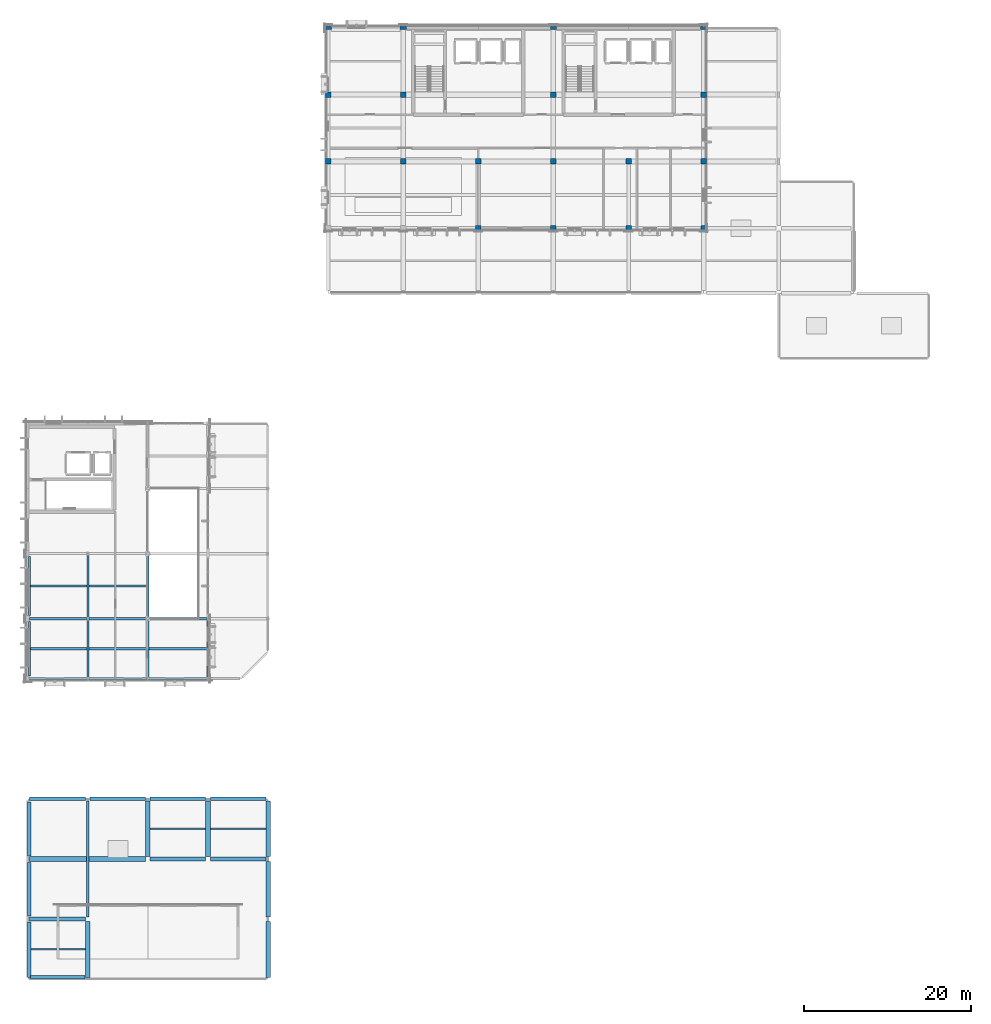
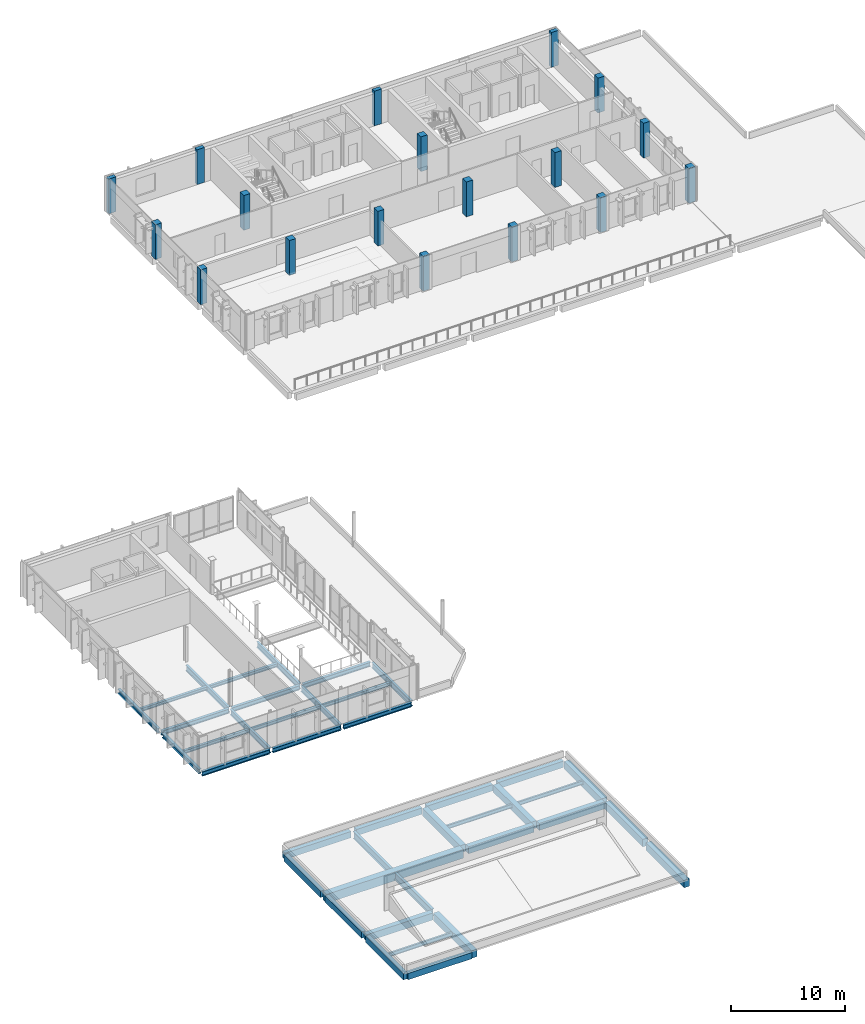
# One storey, part 3 of 23: 40 beams, 18 columns.
"""IFC4 building model written with IfcOpenShell, lengths in metres."""

from ifc_helpers import new_model, si_unit, direction, frame, origin, origin_2d, place, context, subcontext, project, spatial, rectangle, i_section, extrude, material, material_profile, profile_set, type_object, element, save


model = new_model("IFC4")

# Units and contexts
model_context = context("Model", 3, precision=1e-05, world=origin(), true_north=direction((0.0, 1.0)))
body_context = subcontext(model_context, "Body", "Model", "MODEL_VIEW")
ifc_project = project(units=[si_unit("LENGTHUNIT", "METRE"), si_unit("AREAUNIT", "SQUARE_METRE"), si_unit("VOLUMEUNIT", "CUBIC_METRE"), si_unit("PLANEANGLEUNIT", "RADIAN"), si_unit("MASSUNIT", "GRAM", prefix="KILO")], contexts=[model_context])

# Site, building, storey
site_placement = place(None, origin())
site = spatial("IfcSite", under=ifc_project, at=site_placement, CompositionType="ELEMENT")
building_placement = place(site_placement, origin())
building = spatial("IfcBuilding", under=site, at=building_placement, Name="Vervanel Yard Central Library", CompositionType="ELEMENT")
storey_placement = place(building_placement, frame((0.0, 0.0, 16.52001953125)))
storey = spatial("IfcBuildingStorey", under=building, at=storey_placement, Name="L04", CompositionType="ELEMENT", Elevation=16.52001953125)

# Columns
ifc_material_1 = material(Name="Concrete C40/50", Category="concrete")
ifc_material_profile_1 = material_profile(ifc_material_1, rectangle(XDim=0.64990234375, YDim=0.64990234375, at=origin_2d()), Name="RC 650x650", Category="concrete")
ifc_profile_set_1 = profile_set([ifc_material_profile_1], Name="Concrete C40/50")
column_type_1 = type_object("IfcColumnType", Name="Concrete Column 650x650", PredefinedType="COLUMN", material=ifc_profile_set_1)
for number, where, z_axis, x_axis, name in (
    (1, (36.0, 98.0, 0.0), (0.0, 0.0, 1.0), (1.0, 0.0, 0.0), "L04 Concrete Column 650x650 (36.0, 98.0)"),
    (2, (36.0, 106.0, 0.0), (0.0, 0.0, 1.0), (1.0, 0.0, 0.0), "L04 Concrete Column 650x650 (36.0, 106.0)"),
    (3, (45.0, 98.0, 0.0), (0.0, 0.0, 1.0), (1.0, 0.0, 0.0), "L04 Concrete Column 650x650 (45.0, 98.0)"),
    (4, (45.0, 106.0, 0.0), (0.0, 0.0, 1.0), (1.0, 0.0, 0.0), "L04 Concrete Column 650x650 (45.0, 106.0)"),
    (5, (54.0, 90.0, 0.0), (0.0, 0.0, 1.0), (1.0, 0.0, 0.0), "L04 Concrete Column 650x650 (54.0, 90.0)"),
    (6, (54.0, 98.0, 0.0), (0.0, 0.0, 1.0), (1.0, 0.0, 0.0), "L04 Concrete Column 650x650 (54.0, 98.0)"),
    (7, (63.0, 90.0, 0.0), (0.0, 0.0, 1.0), (1.0, 0.0, 0.0), "L04 Concrete Column 650x650 (63.0, 90.0)"),
    (8, (63.0, 98.0, 0.0), (0.0, 0.0, 1.0), (1.0, 0.0, 0.0), "L04 Concrete Column 650x650 (63.0, 98.0)"),
    (9, (63.0, 106.0, 0.0), (0.0, 0.0, 1.0), (1.0, 0.0, 0.0), "L04 Concrete Column 650x650 (63.0, 106.0)"),
    (10, (72.0, 90.0, 0.0), (0.0, 0.0, 1.0), (1.0, 0.0, 0.0), "L04 Concrete Column 650x650 (72.0, 90.0)"),
    (11, (72.0, 98.0, 0.0), (0.0, 0.0, 1.0), (1.0, 0.0, 0.0), "L04 Concrete Column 650x650 (72.0, 98.0)"),
    (12, (81.0, 90.0, 0.0), (0.0, 0.0, 1.0), (1.0, 0.0, 0.0), "L04 Concrete Column 650x650 (81.0, 90.0)"),
    (13, (81.0, 98.0, 0.0), (0.0, 0.0, 1.0), (1.0, 0.0, 0.0), "L04 Concrete Column 650x650 (81.0, 98.0)"),
    (14, (81.0, 106.0, 0.0), (0.0, 0.0, 1.0), (1.0, 0.0, 0.0), "L04 Concrete Column 650x650 (81.0, 106.0)"),
):
    element("IfcColumn", number, at=place(storey_placement, frame(where, z_axis=z_axis, x_axis=x_axis)), inside=storey, type_object=column_type_1, Name=name, PredefinedType="COLUMN", context=body_context, shape_type="SweptSolid", body=[
        extrude(rectangle(XDim=0.64990234375, YDim=0.64990234375, at=origin_2d()), origin(), (0.0, 0.0, 1.0), 3.739990234375),
    ])
ifc_material_profile_2 = material_profile(ifc_material_1, rectangle(XDim=0.39990234375, YDim=0.75, at=origin_2d()), Name="RC 400x750", Category="concrete")
ifc_profile_set_2 = profile_set([ifc_material_profile_2], Name="Concrete C40/50")
column_type_2 = type_object("IfcColumnType", Name="Perimeter Blade Column 400x750", PredefinedType="COLUMN", material=ifc_profile_set_2)
for number, where, z_axis, x_axis, name in (
    (15, (36.0, 114.0, 0.0), (0.0, 0.0, 1.0), (0.0, 1.0, 0.0), "L04 Perimeter Blade Column 400x750 (36.0, 114.0)"),
    (16, (45.0, 114.0, 0.0), (0.0, 0.0, 1.0), (0.0, 1.0, 0.0), "L04 Perimeter Blade Column 400x750 (45.0, 114.0)"),
    (17, (63.0, 114.0, 0.0), (0.0, 0.0, 1.0), (0.0, 1.0, 0.0), "L04 Perimeter Blade Column 400x750 (63.0, 114.0)"),
    (18, (81.0, 114.0, 0.0), (0.0, 0.0, 1.0), (0.0, 1.0, 0.0), "L04 Perimeter Blade Column 400x750 (81.0, 114.0)"),
):
    element("IfcColumn", number, at=place(storey_placement, frame(where, z_axis=z_axis, x_axis=x_axis)), inside=storey, type_object=column_type_2, Name=name, PredefinedType="COLUMN", context=body_context, shape_type="SweptSolid", body=[
        extrude(rectangle(XDim=0.39990234375, YDim=0.75, at=origin_2d()), origin(), (0.0, 0.0, 1.0), 3.739990234375),
    ])

# Beams
ifc_material_2 = material(Name="Concrete C45/55", Category="concrete")
ifc_material_profile_3 = material_profile(ifc_material_2, rectangle(XDim=0.64990234375, YDim=0.949951171875, at=origin_2d()), Name="RC 650x950", Category="concrete")
ifc_profile_set_3 = profile_set([ifc_material_profile_3], Name="Concrete C45/55")
beam_type_1 = type_object("IfcBeamType", Name="Concrete Heavy Stack Girder 650x950", PredefinedType="BEAM", material=ifc_profile_set_3)
beam_1_placement = place(storey_placement, frame((0.2099609375, 14.39990234375, -0.72998046875), z_axis=(1.0, 0.0, 0.0), x_axis=(0.0, 1.0, 0.0)))
element("IfcBeam", 19, at=beam_1_placement, inside=storey, type_object=beam_type_1, Name="L04 Girder CB-04 Y=14.4 X=0.0-14.4", PredefinedType="BEAM", context=body_context, shape_type="SweptSolid", body=[
    extrude(rectangle(XDim=0.64990234375, YDim=0.949951171875, at=origin_2d()), origin(), (0.0, 0.0, 1.0), 13.9150390625),
])
ifc_material_profile_4 = material_profile(ifc_material_1, rectangle(XDim=0.419921875, YDim=0.679931640625, at=origin_2d()), Name="RC 420x680", Category="concrete")
ifc_profile_set_4 = profile_set([ifc_material_profile_4], Name="Concrete C40/50")
beam_type_2 = type_object("IfcBeamType", Name="Concrete Perimeter Spandrel 420x680", PredefinedType="SPANDREL", material=ifc_profile_set_4)
beam_2_placement = place(storey_placement, frame((0.35009765625, 0.199951171875, -0.594970703125), z_axis=(1.0, 0.0, 0.0), x_axis=(0.0, 1.0, 0.0)))
element("IfcBeam", 20, at=beam_2_placement, inside=storey, type_object=beam_type_2, Name="L04 Girder SP-04 Y=0.0 X=0.0-7.2", PredefinedType="SPANDREL", context=body_context, shape_type="SweptSolid", body=[
    extrude(rectangle(XDim=0.419921875, YDim=0.679931640625, at=origin_2d()), origin(), (0.0, 0.0, 1.0), 6.489990234375),
])
beam_3_placement = place(storey_placement, frame((0.18994140625, 21.60009765625, -0.594970703125), z_axis=(1.0, 0.0, 0.0), x_axis=(0.0, 1.0, 0.0)))
element("IfcBeam", 21, at=beam_3_placement, inside=storey, type_object=beam_type_2, Name="L04 Girder SP-04 Y=21.6 X=0.0-7.2", PredefinedType="SPANDREL", context=body_context, shape_type="SweptSolid", body=[
    extrude(rectangle(XDim=0.419921875, YDim=0.679931640625, at=origin_2d()), origin(), (0.0, 0.0, 1.0), 6.735107421875),
])
for number, where, z_axis, x_axis, name in (
    (22, (7.47509765625, 21.60009765625, -0.594970703125), (1.0, 0.0, 0.0), (0.0, 1.0, 0.0), "L04 Girder SP-04 Y=21.6 X=7.2-14.4"),
    (23, (14.675048828125, 21.60009765625, -0.594970703125), (1.0, 0.0, 0.0), (0.0, 1.0, 0.0), "L04 Girder SP-04 Y=21.6 X=14.4-21.6"),
    (24, (21.875, 21.60009765625, -0.594970703125), (1.0, 0.0, 0.0), (0.0, 1.0, 0.0), "L04 Girder SP-04 Y=21.6 X=21.6-28.8"),
):
    element("IfcBeam", number, at=place(storey_placement, frame(where, z_axis=z_axis, x_axis=x_axis)), inside=storey, type_object=beam_type_2, Name=name, PredefinedType="SPANDREL", context=body_context, shape_type="SweptSolid", body=[
        extrude(rectangle(XDim=0.419921875, YDim=0.679931640625, at=origin_2d()), origin(), (0.0, 0.0, 1.0), 6.64990234375),
    ])
beam_4_placement = place(storey_placement, frame((0.199951171875, 0.175048828125, -0.594970703125), z_axis=(0.0, 1.0, 0.0), x_axis=(-1.0, 0.0, 0.0)))
element("IfcBeam", 25, at=beam_4_placement, inside=storey, type_object=beam_type_2, Name="L04 Girder SP-04 X=0.0 Y=0.0-7.2", PredefinedType="SPANDREL", context=body_context, shape_type="SweptSolid", body=[
    extrude(rectangle(XDim=0.419921875, YDim=0.679931640625, at=origin_2d()), origin(), (0.0, 0.0, 1.0), 6.6650390625),
])
for number, where, z_axis, x_axis, name in (
    (26, (0.199951171875, 7.56005859375, -0.594970703125), (0.0, 1.0, 0.0), (-1.0, 0.0, 0.0), "L04 Girder SP-04 X=0.0 Y=7.2-14.4"),
    (27, (0.199951171875, 14.7900390625, -0.594970703125), (0.0, 1.0, 0.0), (-1.0, 0.0, 0.0), "L04 Girder SP-04 X=0.0 Y=14.4-21.6"),
):
    element("IfcBeam", number, at=place(storey_placement, frame(where, z_axis=z_axis, x_axis=x_axis)), inside=storey, type_object=beam_type_2, Name=name, PredefinedType="SPANDREL", context=body_context, shape_type="SweptSolid", body=[
        extrude(rectangle(XDim=0.419921875, YDim=0.679931640625, at=origin_2d()), origin(), (0.0, 0.0, 1.0), 6.449951171875),
    ])
ifc_material_profile_5 = material_profile(ifc_material_1, rectangle(XDim=0.5, YDim=0.75, at=origin_2d()), Name="RC 500x750", Category="concrete")
ifc_profile_set_5 = profile_set([ifc_material_profile_5], Name="Concrete C40/50")
beam_type_3 = type_object("IfcBeamType", Name="Concrete Primary Girder 500x750", PredefinedType="BEAM", material=ifc_profile_set_5)
beam_5_placement = place(storey_placement, frame((0.18994140625, 7.199951171875, -0.630126953125), z_axis=(1.0, 0.0, 0.0), x_axis=(0.0, 1.0, 0.0)))
element("IfcBeam", 28, at=beam_5_placement, inside=storey, type_object=beam_type_3, Name="L04 Girder CB-01 Y=7.2 X=0.0-7.2", PredefinedType="BEAM", context=body_context, shape_type="SweptSolid", body=[
    extrude(rectangle(XDim=0.5, YDim=0.75, at=origin_2d()), origin(), (0.0, 0.0, 1.0), 6.735107421875),
])
for number, where, z_axis, x_axis, name in (
    (29, (14.675048828125, 14.39990234375, -0.630126953125), (1.0, 0.0, 0.0), (0.0, 1.0, 0.0), "L04 Girder CB-01 Y=14.4 X=14.4-21.6"),
    (30, (21.875, 14.39990234375, -0.630126953125), (1.0, 0.0, 0.0), (0.0, 1.0, 0.0), "L04 Girder CB-01 Y=14.4 X=21.6-28.8"),
):
    element("IfcBeam", number, at=place(storey_placement, frame(where, z_axis=z_axis, x_axis=x_axis)), inside=storey, type_object=beam_type_3, Name=name, PredefinedType="BEAM", context=body_context, shape_type="SweptSolid", body=[
        extrude(rectangle(XDim=0.5, YDim=0.75, at=origin_2d()), origin(), (0.0, 0.0, 1.0), 6.64990234375),
    ])
ifc_material_profile_6 = material_profile(ifc_material_1, rectangle(XDim=0.550048828125, YDim=0.800048828125, at=origin_2d()), Name="RC 550x800", Category="concrete")
ifc_profile_set_6 = profile_set([ifc_material_profile_6], Name="Concrete C40/50")
beam_type_4 = type_object("IfcBeamType", Name="Concrete Primary Girder 550x800", PredefinedType="BEAM", material=ifc_profile_set_6)
beam_6_placement = place(storey_placement, frame((7.199951171875, 0.18994140625, -0.655029296875), z_axis=(0.0, 1.0, 0.0), x_axis=(-1.0, 0.0, 0.0)))
element("IfcBeam", 31, at=beam_6_placement, inside=storey, type_object=beam_type_4, Name="L04 Girder CB-02 X=7.2 Y=0.0-7.2", PredefinedType="BEAM", context=body_context, shape_type="SweptSolid", body=[
    extrude(rectangle(XDim=0.550048828125, YDim=0.800048828125, at=origin_2d()), origin(), (0.0, 0.0, 1.0), 6.735107421875),
])
for number, where, z_axis, x_axis, name in (
    (32, (14.39990234375, 14.675048828125, -0.655029296875), (0.0, 1.0, 0.0), (-1.0, 0.0, 0.0), "L04 Girder CB-02 X=14.4 Y=14.4-21.6"),
    (33, (21.60009765625, 14.675048828125, -0.655029296875), (0.0, 1.0, 0.0), (-1.0, 0.0, 0.0), "L04 Girder CB-02 X=21.6 Y=14.4-21.6"),
):
    element("IfcBeam", number, at=place(storey_placement, frame(where, z_axis=z_axis, x_axis=x_axis)), inside=storey, type_object=beam_type_4, Name=name, PredefinedType="BEAM", context=body_context, shape_type="SweptSolid", body=[
        extrude(rectangle(XDim=0.550048828125, YDim=0.800048828125, at=origin_2d()), origin(), (0.0, 0.0, 1.0), 6.64990234375),
    ])
beam_7_placement = place(storey_placement, frame((28.800048828125, 0.2099609375, -0.655029296875), z_axis=(0.0, 1.0, 0.0), x_axis=(-1.0, 0.0, 0.0)))
element("IfcBeam", 34, at=beam_7_placement, inside=storey, type_object=beam_type_4, Name="L04 Girder CB-02 X=28.8 Y=0.0-7.2", PredefinedType="BEAM", context=body_context, shape_type="SweptSolid", body=[
    extrude(rectangle(XDim=0.550048828125, YDim=0.800048828125, at=origin_2d()), origin(), (0.0, 0.0, 1.0), 6.715087890625),
])
for number, where, z_axis, x_axis, name in (
    (35, (28.800048828125, 7.47509765625, -0.655029296875), (0.0, 1.0, 0.0), (-1.0, 0.0, 0.0), "L04 Girder CB-02 X=28.8 Y=7.2-14.4"),
    (36, (28.800048828125, 14.675048828125, -0.655029296875), (0.0, 1.0, 0.0), (-1.0, 0.0, 0.0), "L04 Girder CB-02 X=28.8 Y=14.4-21.6"),
):
    element("IfcBeam", number, at=place(storey_placement, frame(where, z_axis=z_axis, x_axis=x_axis)), inside=storey, type_object=beam_type_4, Name=name, PredefinedType="BEAM", context=body_context, shape_type="SweptSolid", body=[
        extrude(rectangle(XDim=0.550048828125, YDim=0.800048828125, at=origin_2d()), origin(), (0.0, 0.0, 1.0), 6.64990234375),
    ])
ifc_material_3 = material(Name="Steel ASTM A992 Grade 50", Category="steel")
ifc_material_profile_7 = material_profile(ifc_material_3, i_section(OverallWidth=0.25390625, OverallDepth=0.355712890625, WebThickness=0.010498046875, FlangeThickness=0.018310546875, at=origin_2d()), Name="W14X68", Category="steel")
ifc_profile_set_7 = profile_set([ifc_material_profile_7], Name="Steel ASTM A992 Grade 50")
beam_type_5 = type_object("IfcBeamType", Name="Steel Atrium Edge Joist W14X68", PredefinedType="JOIST", material=ifc_profile_set_7)
for number, where, z_axis, x_axis, name in (
    (37, (0.341064453125, 39.60009765625, -0.462890625), (1.0, 0.0, 0.0), (0.0, 1.0, 0.0), "L04 Floor Joist SJ-06 Y=39.60 X=0.0-7.2"),
    (38, (0.341064453125, 47.10009765625, -0.462890625), (1.0, 0.0, 0.0), (0.0, 1.0, 0.0), "L04 Floor Joist SJ-06 Y=47.10 X=0.0-7.2"),
):
    element("IfcBeam", number, at=place(storey_placement, frame(where, z_axis=z_axis, x_axis=x_axis)), inside=storey, type_object=beam_type_5, Name=name, PredefinedType="JOIST", context=body_context, shape_type="SweptSolid", body=[
        extrude(i_section(OverallWidth=0.25390625, OverallDepth=0.355712890625, WebThickness=0.010498046875, FlangeThickness=0.018310546875, at=origin_2d()), origin(), (0.0, 0.0, 1.0), 6.744384765625),
    ])
for number, where, z_axis, x_axis, name in (
    (39, (7.314697265625, 39.60009765625, -0.462890625), (1.0, 0.0, 0.0), (0.0, 1.0, 0.0), "L04 Floor Joist SJ-06 Y=39.60 X=7.2-14.4"),
    (40, (7.314697265625, 47.10009765625, -0.462890625), (1.0, 0.0, 0.0), (0.0, 1.0, 0.0), "L04 Floor Joist SJ-06 Y=47.10 X=7.2-14.4"),
    (41, (14.5146484375, 39.60009765625, -0.462890625), (1.0, 0.0, 0.0), (0.0, 1.0, 0.0), "L04 Floor Joist SJ-06 Y=39.60 X=14.4-21.6"),
):
    element("IfcBeam", number, at=place(storey_placement, frame(where, z_axis=z_axis, x_axis=x_axis)), inside=storey, type_object=beam_type_5, Name=name, PredefinedType="JOIST", context=body_context, shape_type="SweptSolid", body=[
        extrude(i_section(OverallWidth=0.25390625, OverallDepth=0.355712890625, WebThickness=0.010498046875, FlangeThickness=0.018310546875, at=origin_2d()), origin(), (0.0, 0.0, 1.0), 6.970703125),
    ])
ifc_material_profile_8 = material_profile(ifc_material_3, i_section(OverallWidth=0.22900390625, OverallDepth=0.612060546875, WebThickness=0.011962890625, FlangeThickness=0.01953125, at=origin_2d()), Name="W24X84", Category="steel")
ifc_profile_set_8 = profile_set([ifc_material_profile_8], Name="Steel ASTM A992 Grade 50")
beam_type_6 = type_object("IfcBeamType", Name="Steel Primary Girder W24X84", PredefinedType="BEAM", material=ifc_profile_set_8)
beam_8_placement = place(storey_placement, frame((7.199951171875, 36.157470703125, -0.591064453125), z_axis=(0.0, 1.0, 0.0), x_axis=(-1.0, 0.0, 0.0)))
element("IfcBeam", 42, at=beam_8_placement, inside=storey, type_object=beam_type_6, Name="L04 Girder SB-01 X=7.2 Y=36.0-43.2", PredefinedType="BEAM", context=body_context, shape_type="SweptSolid", body=[
    extrude(i_section(OverallWidth=0.22900390625, OverallDepth=0.612060546875, WebThickness=0.011962890625, FlangeThickness=0.01953125, at=origin_2d()), origin(), (0.0, 0.0, 1.0), 6.885009765625),
])
beam_9_placement = place(storey_placement, frame((7.199951171875, 43.357421875, -0.591064453125), z_axis=(0.0, 1.0, 0.0), x_axis=(-1.0, 0.0, 0.0)))
element("IfcBeam", 43, at=beam_9_placement, inside=storey, type_object=beam_type_6, Name="L04 Girder SB-01 X=7.2 Y=43.2-51.0", PredefinedType="BEAM", context=body_context, shape_type="SweptSolid", body=[
    extrude(i_section(OverallWidth=0.22900390625, OverallDepth=0.612060546875, WebThickness=0.011962890625, FlangeThickness=0.01953125, at=origin_2d()), origin(), (0.0, 0.0, 1.0), 7.485107421875),
])
beam_10_placement = place(storey_placement, frame((14.39990234375, 36.157470703125, -0.591064453125), z_axis=(0.0, 1.0, 0.0), x_axis=(-1.0, 0.0, 0.0)))
element("IfcBeam", 44, at=beam_10_placement, inside=storey, type_object=beam_type_6, Name="L04 Girder SB-01 X=14.4 Y=36.0-43.2", PredefinedType="BEAM", context=body_context, shape_type="SweptSolid", body=[
    extrude(i_section(OverallWidth=0.22900390625, OverallDepth=0.612060546875, WebThickness=0.011962890625, FlangeThickness=0.01953125, at=origin_2d()), origin(), (0.0, 0.0, 1.0), 6.880615234375),
])
beam_11_placement = place(storey_placement, frame((14.39990234375, 43.36181640625, -0.591064453125), z_axis=(0.0, 1.0, 0.0), x_axis=(-1.0, 0.0, 0.0)))
element("IfcBeam", 45, at=beam_11_placement, inside=storey, type_object=beam_type_6, Name="L04 Girder SB-01 X=14.4 Y=43.2-51.0", PredefinedType="BEAM", context=body_context, shape_type="SweptSolid", body=[
    extrude(i_section(OverallWidth=0.22900390625, OverallDepth=0.612060546875, WebThickness=0.011962890625, FlangeThickness=0.01953125, at=origin_2d()), origin(), (0.0, 0.0, 1.0), 7.476318359375),
])
beam_12_placement = place(storey_placement, frame((21.60009765625, 36.157470703125, -0.591064453125), z_axis=(0.0, 1.0, 0.0), x_axis=(-1.0, 0.0, 0.0)))
element("IfcBeam", 46, at=beam_12_placement, inside=storey, type_object=beam_type_6, Name="L04 Girder SB-01 X=21.6 Y=36.0-43.2", PredefinedType="BEAM", context=body_context, shape_type="SweptSolid", body=[
    extrude(i_section(OverallWidth=0.22900390625, OverallDepth=0.612060546875, WebThickness=0.011962890625, FlangeThickness=0.01953125, at=origin_2d()), origin(), (0.0, 0.0, 1.0), 6.885009765625),
])
ifc_material_profile_9 = material_profile(ifc_material_3, i_section(OverallWidth=0.2666015625, OverallDepth=0.76953125, WebThickness=0.015625, FlangeThickness=0.025390625, at=origin_2d()), Name="W30X132", Category="steel")
ifc_profile_set_9 = profile_set([ifc_material_profile_9], Name="Steel ASTM A992 Grade 50")
beam_type_7 = type_object("IfcBeamType", Name="Steel Reading Hall Girder W30X132", PredefinedType="BEAM", material=ifc_profile_set_9)
beam_13_placement = place(storey_placement, frame((7.199951171875, 7.47509765625, -0.639892578125), z_axis=(0.0, 1.0, 0.0), x_axis=(-1.0, 0.0, 0.0)))
element("IfcBeam", 47, at=beam_13_placement, inside=storey, type_object=beam_type_7, Name="L04 Girder SB-04 X=7.2 Y=7.2-21.6", PredefinedType="BEAM", context=body_context, shape_type="SweptSolid", body=[
    extrude(i_section(OverallWidth=0.2666015625, OverallDepth=0.76953125, WebThickness=0.015625, FlangeThickness=0.025390625, at=origin_2d()), origin(), (0.0, 0.0, 1.0), 13.849853515625),
])
ifc_material_profile_10 = material_profile(ifc_material_3, i_section(OverallWidth=0.1787109375, OverallDepth=0.408935546875, WebThickness=0.0087890625, FlangeThickness=0.014404296875, at=origin_2d()), Name="W16X45", Category="steel")
ifc_profile_set_10 = profile_set([ifc_material_profile_10], Name="Steel ASTM A992 Grade 50")
beam_type_8 = type_object("IfcBeamType", Name="Steel Secondary Joist W16X45", PredefinedType="JOIST", material=ifc_profile_set_10)
beam_14_placement = place(storey_placement, frame((0.409912109375, 3.60009765625, -0.45947265625), z_axis=(1.0, 0.0, 0.0), x_axis=(0.0, 1.0, 0.0)))
element("IfcBeam", 48, at=beam_14_placement, inside=storey, type_object=beam_type_8, Name="L04 Floor Joist SJ-01 Y=3.60 X=0.0-7.2", PredefinedType="JOIST", context=body_context, shape_type="SweptSolid", body=[
    extrude(i_section(OverallWidth=0.1787109375, OverallDepth=0.408935546875, WebThickness=0.0087890625, FlangeThickness=0.014404296875, at=origin_2d()), origin(), (0.0, 0.0, 1.0), 6.51513671875),
])
for number, where, z_axis, x_axis, name in (
    (49, (14.675048828125, 18.0, -0.45947265625), (1.0, 0.0, 0.0), (0.0, 1.0, 0.0), "L04 Floor Joist SJ-01 Y=18.00 X=14.4-21.6"),
    (50, (21.875, 18.0, -0.45947265625), (1.0, 0.0, 0.0), (0.0, 1.0, 0.0), "L04 Floor Joist SJ-01 Y=18.00 X=21.6-28.8"),
):
    element("IfcBeam", number, at=place(storey_placement, frame(where, z_axis=z_axis, x_axis=x_axis)), inside=storey, type_object=beam_type_8, Name=name, PredefinedType="JOIST", context=body_context, shape_type="SweptSolid", body=[
        extrude(i_section(OverallWidth=0.1787109375, OverallDepth=0.408935546875, WebThickness=0.0087890625, FlangeThickness=0.014404296875, at=origin_2d()), origin(), (0.0, 0.0, 1.0), 6.64990234375),
    ])
ifc_material_profile_11 = material_profile(ifc_material_3, i_section(OverallWidth=0.281982421875, OverallDepth=0.46728515625, WebThickness=0.01220703125, FlangeThickness=0.01953125, at=origin_2d()), Name="W18X86", Category="steel")
ifc_profile_set_11 = profile_set([ifc_material_profile_11], Name="Steel ASTM A992 Grade 50")
beam_type_9 = type_object("IfcBeamType", Name="Steel Spandrel Beam W18X86", PredefinedType="SPANDREL", material=ifc_profile_set_11)
beam_15_placement = place(storey_placement, frame((0.175048828125, 36.0, -0.518798828125), z_axis=(1.0, 0.0, 0.0), x_axis=(0.0, 1.0, 0.0)))
element("IfcBeam", 51, at=beam_15_placement, inside=storey, type_object=beam_type_9, Name="L04 Girder SP-02 Y=36.0 X=0.0-7.2", PredefinedType="SPANDREL", context=body_context, shape_type="SweptSolid", body=[
    extrude(i_section(OverallWidth=0.281982421875, OverallDepth=0.46728515625, WebThickness=0.01220703125, FlangeThickness=0.01953125, at=origin_2d()), origin(), (0.0, 0.0, 1.0), 6.871337890625),
])
for number, where, z_axis, x_axis, name in (
    (52, (7.353759765625, 36.0, -0.518798828125), (1.0, 0.0, 0.0), (0.0, 1.0, 0.0), "L04 Girder SP-02 Y=36.0 X=7.2-14.4"),
    (53, (14.5537109375, 36.0, -0.518798828125), (1.0, 0.0, 0.0), (0.0, 1.0, 0.0), "L04 Girder SP-02 Y=36.0 X=14.4-21.6"),
):
    element("IfcBeam", number, at=place(storey_placement, frame(where, z_axis=z_axis, x_axis=x_axis)), inside=storey, type_object=beam_type_9, Name=name, PredefinedType="SPANDREL", context=body_context, shape_type="SweptSolid", body=[
        extrude(i_section(OverallWidth=0.281982421875, OverallDepth=0.46728515625, WebThickness=0.01220703125, FlangeThickness=0.01953125, at=origin_2d()), origin(), (0.0, 0.0, 1.0), 6.892578125),
    ])
beam_16_placement = place(storey_placement, frame((0.18994140625, 43.199951171875, -0.518798828125), z_axis=(1.0, 0.0, 0.0), x_axis=(0.0, 1.0, 0.0)))
element("IfcBeam", 54, at=beam_16_placement, inside=storey, type_object=beam_type_9, Name="L04 Girder SP-02 Y=43.2 X=0.0-7.2", PredefinedType="SPANDREL", context=body_context, shape_type="SweptSolid", body=[
    extrude(i_section(OverallWidth=0.281982421875, OverallDepth=0.46728515625, WebThickness=0.01220703125, FlangeThickness=0.01953125, at=origin_2d()), origin(), (0.0, 0.0, 1.0), 6.8564453125),
])
for number, where, z_axis, x_axis, name in (
    (55, (7.353759765625, 43.199951171875, -0.518798828125), (1.0, 0.0, 0.0), (0.0, 1.0, 0.0), "L04 Girder SP-02 Y=43.2 X=7.2-14.4"),
    (56, (14.56201171875, 43.199951171875, -0.518798828125), (1.0, 0.0, 0.0), (0.0, 1.0, 0.0), "L04 Girder SP-02 Y=43.2 X=14.4-21.6"),
):
    element("IfcBeam", number, at=place(storey_placement, frame(where, z_axis=z_axis, x_axis=x_axis)), inside=storey, type_object=beam_type_9, Name=name, PredefinedType="SPANDREL", context=body_context, shape_type="SweptSolid", body=[
        extrude(i_section(OverallWidth=0.281982421875, OverallDepth=0.46728515625, WebThickness=0.01220703125, FlangeThickness=0.01953125, at=origin_2d()), origin(), (0.0, 0.0, 1.0), 6.88427734375),
    ])
beam_17_placement = place(storey_placement, frame((0.199951171875, 36.35009765625, -0.518798828125), z_axis=(0.0, 1.0, 0.0), x_axis=(-1.0, 0.0, 0.0)))
element("IfcBeam", 57, at=beam_17_placement, inside=storey, type_object=beam_type_9, Name="L04 Girder SP-02 X=0.0 Y=36.0-43.2", PredefinedType="SPANDREL", context=body_context, shape_type="SweptSolid", body=[
    extrude(i_section(OverallWidth=0.281982421875, OverallDepth=0.46728515625, WebThickness=0.01220703125, FlangeThickness=0.01953125, at=origin_2d()), origin(), (0.0, 0.0, 1.0), 6.489990234375),
])
beam_18_placement = place(storey_placement, frame((0.199951171875, 43.56005859375, -0.518798828125), z_axis=(0.0, 1.0, 0.0), x_axis=(-1.0, 0.0, 0.0)))
element("IfcBeam", 58, at=beam_18_placement, inside=storey, type_object=beam_type_9, Name="L04 Girder SP-02 X=0.0 Y=43.2-51.0", PredefinedType="SPANDREL", context=body_context, shape_type="SweptSolid", body=[
    extrude(i_section(OverallWidth=0.281982421875, OverallDepth=0.46728515625, WebThickness=0.01220703125, FlangeThickness=0.01953125, at=origin_2d()), origin(), (0.0, 0.0, 1.0), 7.08984375),
])

save(model, "model.ifc")
